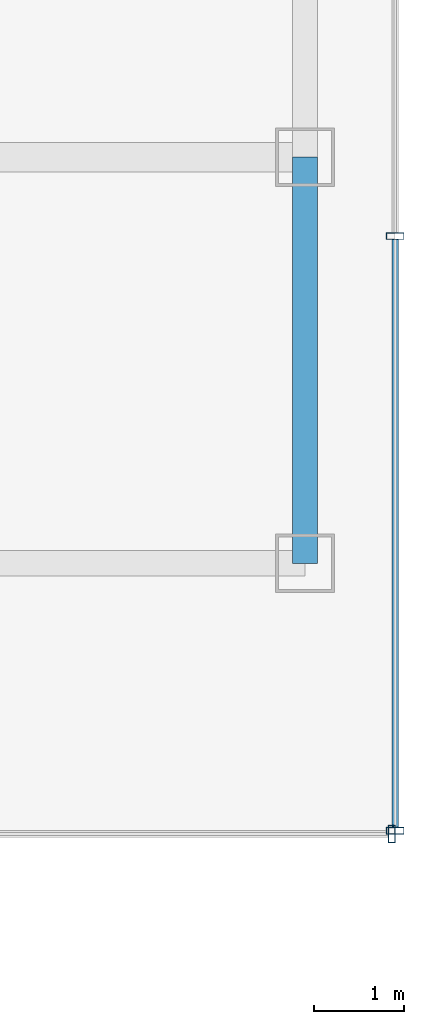
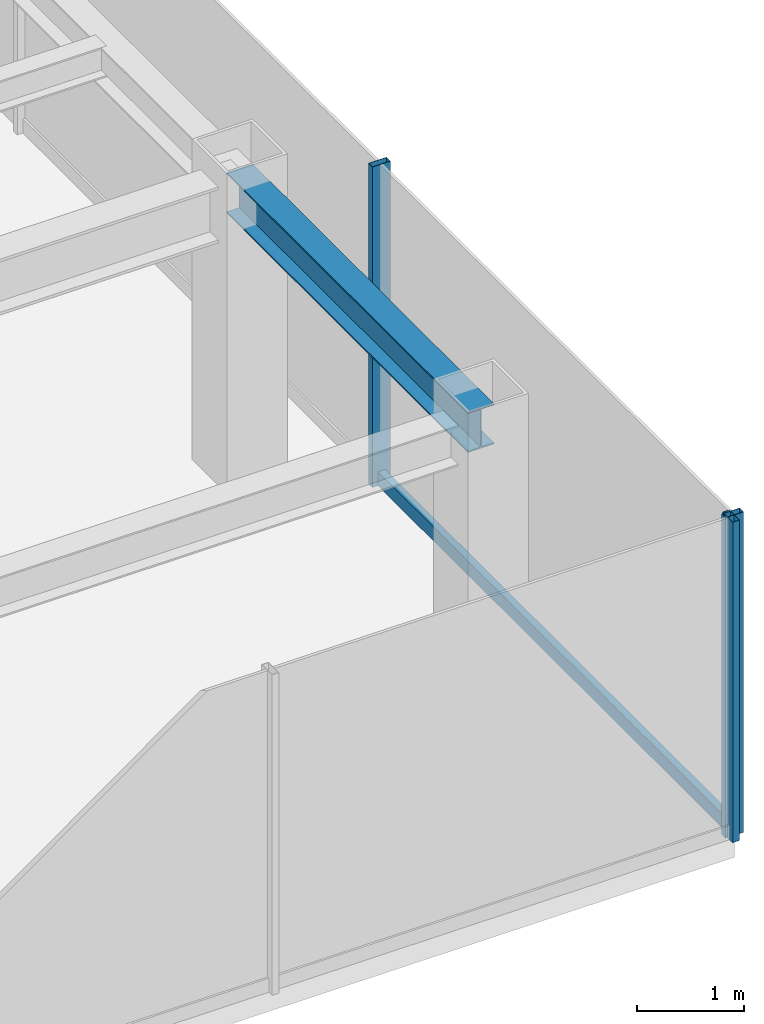
# One storey, part 11 of 25: 4 members, 1 beam, 2 elements without a shape of their own.
"""IFC4 building model written with IfcOpenShell, lengths in metres."""

from ifc_helpers import new_model, si_unit, derived_unit, direction, frame, origin, origin_2d, place, context, subcontext, project, spatial, hollow_rectangle, i_section, extrude, source, transform, mapped, material, material_profile, profile_set, type_object, element, aggregate, save


model = new_model("IFC4")

# Units and contexts
model_context = context("Model", 3, precision=1e-05, world=origin(), true_north=direction((0.0, 1.0)))
body_context = subcontext(model_context, "Body", "Model", "MODEL_VIEW")
ifc_project = project(units=[si_unit("LENGTHUNIT", "METRE"), si_unit("AREAUNIT", "SQUARE_METRE"), si_unit("VOLUMEUNIT", "CUBIC_METRE"), si_unit("PLANEANGLEUNIT", "RADIAN"), si_unit("MASSUNIT", "GRAM", prefix="KILO"), derived_unit("THERMALTRANSMITTANCEUNIT", [(si_unit("POWERUNIT", "WATT"), 1), (si_unit("LENGTHUNIT", "METRE"), -2), (si_unit("THERMODYNAMICTEMPERATUREUNIT", "KELVIN"), -1)])], contexts=[model_context])

# Site, building, storey
site_placement = place(None, origin())
site = spatial("IfcSite", under=ifc_project, at=site_placement, CompositionType="ELEMENT")
building_placement = place(site_placement, origin())
building = spatial("IfcBuilding", under=site, at=building_placement, Name="Skarnbrae Concourse Arena and Tower", CompositionType="ELEMENT")
storey_placement = place(building_placement, frame((0.0, 0.0, 169.800048828125)))
storey = spatial("IfcBuildingStorey", under=building, at=storey_placement, Name="L43", CompositionType="ELEMENT", Elevation=169.800048828125)

# Beam
ifc_material_1 = material(Name="Steel CSA G40.21 350W", Category="steel")
ifc_material_profile_1 = material_profile(ifc_material_1, i_section(OverallWidth=0.280029296875, OverallDepth=0.462890625, WebThickness=0.0107421875, FlangeThickness=0.017333984375, at=origin_2d()), Name="W460X113")
ifc_profile_set_1 = profile_set([ifc_material_profile_1], Name="Steel CSA G40.21 350W")
beam_type = type_object("IfcBeamType", Name="BM-SPAN-W460X113", PredefinedType="SPANDREL", material=ifc_profile_set_1)
shared_shape_1 = source(origin(), body_context, "Body", "SweptSolid", [
    extrude(i_section(OverallWidth=0.280029296875, OverallDepth=0.462890625, WebThickness=0.0107421875, FlangeThickness=0.017333984375, at=origin_2d()), origin(), (0.0, 0.0, 1.0), 4.5),
])
beam_placement = place(storey_placement, frame((49.0, 9.5, 3.16845703125), z_axis=(0.0, 1.0, 0.0), x_axis=(-1.0, 0.0, 0.0)))
element("IfcBeam", 1, at=beam_placement, inside=storey, type_object=beam_type, Name="L43 Perimeter spandrel X49.0-1", PredefinedType="SPANDREL", context=body_context, shape_type="MappedRepresentation", body=[
    mapped(shared_shape_1, transform((0.0, 0.0, 0.0))),
])

# Curtain wall, member
ifc_material_2 = material(Name="Bronze anodised aluminium 6063-T6", Category="aluminium")
curtain_wall_type = type_object("IfcCurtainWallType", Name="CW-SYS-04-MIDZONE", PredefinedType="USERDEFINED", material=ifc_material_2)
curtain_wall_1_placement = place(storey_placement, origin())
curtain_wall_1 = element("IfcCurtainWall", 2, at=curtain_wall_1_placement, inside=storey, type_object=curtain_wall_type, Name="L43 Unitised curtain wall CW-L43-E03", ObjectType="UNITISED CURTAIN WALL", PredefinedType="USERDEFINED")
ifc_material_profile_2 = material_profile(ifc_material_2, hollow_rectangle(XDim=0.074951171875, YDim=0.195068359375, WallThickness=0.00439453125, at=origin_2d()), Name="ALU-MULL-75X195")
ifc_profile_set_2 = profile_set([ifc_material_profile_2], Name="Bronze anodised aluminium 6063-T6")
member_type_1 = type_object("IfcMemberType", Name="CWM-CW-04", PredefinedType="MULLION", material=ifc_profile_set_2)
shared_shape_2 = source(origin(), body_context, "Body", "SweptSolid", [
    extrude(hollow_rectangle(XDim=0.074951171875, YDim=0.195068359375, WallThickness=0.00439453125, at=origin_2d()), origin(), (0.0, 0.0, 1.0), 3.64990234375),
])
member_1_placement = place(storey_placement, frame((49.96240234375, 6.5, 0.0), z_axis=(0.0, 0.0, 1.0), x_axis=(1.0, 0.0, 0.0)))
member_1 = element("IfcMember", 3, at=member_1_placement, type_object=member_type_1, Name="CW-L43-E03 Mullion 3", PredefinedType="MULLION", context=body_context, shape_type="MappedRepresentation", body=[
    mapped(shared_shape_2, transform((0.0, 0.0, 0.0))),
])
aggregate(curtain_wall_1, [member_1])

# Curtain wall, members
curtain_wall_2_placement = place(storey_placement, origin())
curtain_wall_2 = element("IfcCurtainWall", 4, at=curtain_wall_2_placement, inside=storey, type_object=curtain_wall_type, Name="L43 Unitised curtain wall CW-L43-E04", ObjectType="UNITISED CURTAIN WALL", PredefinedType="USERDEFINED")
member_2_placement = place(storey_placement, frame((50.0, 6.53759765625, 0.0), z_axis=(0.0, 0.0, 1.0), x_axis=(0.0, 1.0, 0.0)))
member_2 = element("IfcMember", 5, at=member_2_placement, type_object=member_type_1, Name="CW-L43-E04 Mullion 1", PredefinedType="MULLION", context=body_context, shape_type="MappedRepresentation", body=[
    mapped(shared_shape_2, transform((0.0, 0.0, 0.0))),
])
member_3_placement = place(storey_placement, frame((50.0, 13.125, 0.0), z_axis=(0.0, 0.0, 1.0), x_axis=(0.0, 1.0, 0.0)))
member_3 = element("IfcMember", 6, at=member_3_placement, type_object=member_type_1, Name="CW-L43-E04 Mullion 2", PredefinedType="MULLION", context=body_context, shape_type="MappedRepresentation", body=[
    mapped(shared_shape_2, transform((0.0, 0.0, 0.0))),
])
ifc_material_profile_3 = material_profile(ifc_material_2, hollow_rectangle(XDim=0.074951171875, YDim=0.159912109375, WallThickness=0.00439453125, at=origin_2d()), Name="ALU-TRAN-75X160")
ifc_profile_set_3 = profile_set([ifc_material_profile_3], Name="Bronze anodised aluminium 6063-T6")
member_type_2 = type_object("IfcMemberType", Name="CWT-CW-04", PredefinedType="USERDEFINED", material=ifc_profile_set_3)
shared_shape_3 = source(origin(), body_context, "Body", "SweptSolid", [
    extrude(hollow_rectangle(XDim=0.074951171875, YDim=0.159912109375, WallThickness=0.00439453125, at=origin_2d()), origin(), (0.0, 0.0, 1.0), 6.512451171875),
])
member_4_placement = place(storey_placement, frame((50.0, 6.574951171875, 0.079833984375), z_axis=(0.0, 1.0, 0.0), x_axis=(-1.0, 0.0, 0.0)))
member_4 = element("IfcMember", 7, at=member_4_placement, type_object=member_type_2, Name="CW-L43-E04 Transom 1", ObjectType="TRANSOM", PredefinedType="USERDEFINED", context=body_context, shape_type="MappedRepresentation", body=[
    mapped(shared_shape_3, transform((0.0, 0.0, 0.0))),
])
aggregate(curtain_wall_2, [member_2, member_3, member_4])

save(model, "model.ifc")
